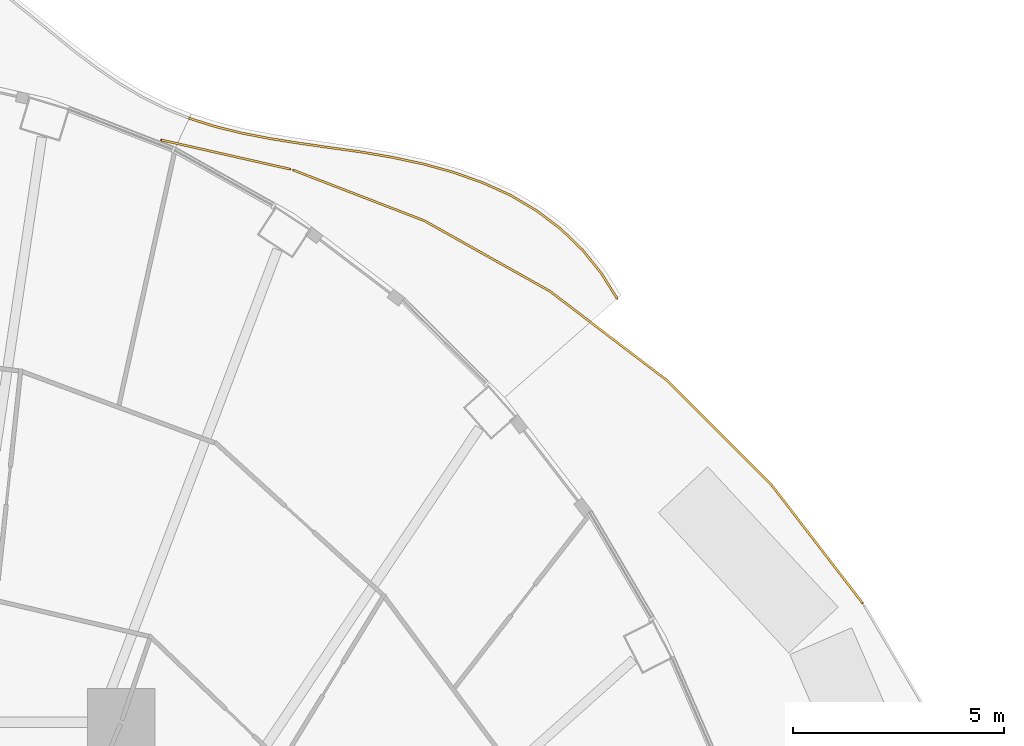
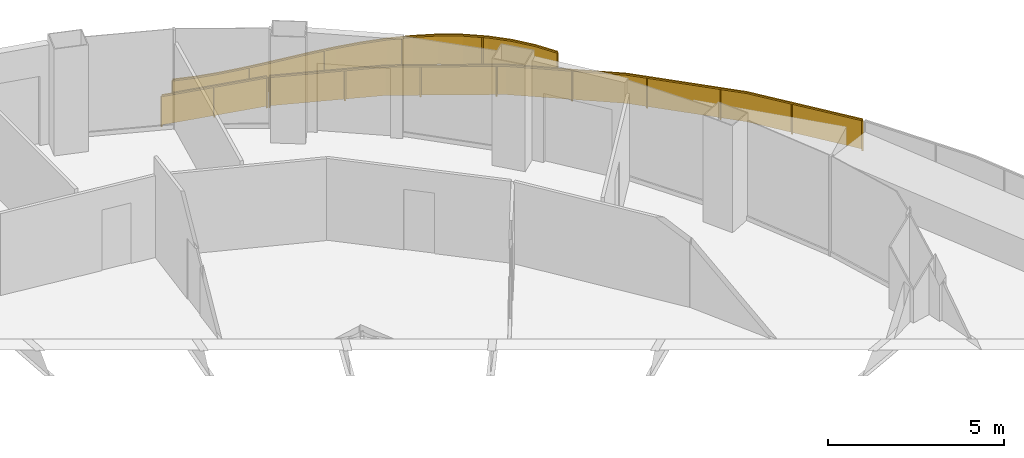
# One storey, part 18 of 18: 3 railings.
"""IFC4 building model written with IfcOpenShell, lengths in metres."""

from ifc_helpers import new_model, si_unit, direction, frame, origin, origin_2d, place, context, subcontext, project, spatial, polyline, rectangle, outline, extrude, material, type_object, element, save


model = new_model("IFC4")

# Units and contexts
model_context = context("Model", 3, precision=1e-05, world=origin(), true_north=direction((0.0, 1.0)))
body_context = subcontext(model_context, "Body", "Model", "MODEL_VIEW")
ifc_project = project(units=[si_unit("LENGTHUNIT", "METRE"), si_unit("AREAUNIT", "SQUARE_METRE"), si_unit("VOLUMEUNIT", "CUBIC_METRE"), si_unit("PLANEANGLEUNIT", "RADIAN"), si_unit("MASSUNIT", "GRAM", prefix="KILO")], contexts=[model_context])

# Site, building, storey
site_placement = place(None, origin())
site = spatial("IfcSite", under=ifc_project, at=site_placement, CompositionType="ELEMENT")
building_placement = place(site_placement, origin())
building = spatial("IfcBuilding", under=site, at=building_placement, Name="Nagisa Residences", CompositionType="ELEMENT")
storey_placement = place(building_placement, frame((0.0, 0.0, 212.199951171875)))
storey = spatial("IfcBuildingStorey", under=building, at=storey_placement, Name="L53", CompositionType="ELEMENT", Elevation=212.199951171875)

# Railings
ifc_material_1 = material(Name="Stainless steel 316", Category="steel")
railing_type_1 = type_object("IfcRailingType", Name="BALCONY GUARD 1100", PredefinedType="BALUSTRADE", material=ifc_material_1)
railing_1_placement = place(storey_placement, frame((17.88623046875, 24.828369140625, 0.0)))
element("IfcRailing", 1, at=railing_1_placement, inside=storey, type_object=railing_type_1, Name="guard:L53:bal02-0", PredefinedType="BALUSTRADE", context=body_context, shape_type="SweptSolid", body=[
    extrude(outline(polyline([(-0.39697265625, 0.58642578125), (-0.021240234375, -0.01318359375), (0.021240234375, 0.01318359375), (-0.35595703125, 0.61572265625), (-0.8046875, 1.171630859375), (-1.3173828125, 1.66845703125), (-1.889404296875, 2.102783203125), (-2.514404296875, 2.47314453125), (-3.17138671875, 2.770751953125), (-3.874755859375, 3.021240234375), (-4.601806640625, 3.22119140625), (-5.341552734375, 3.379150390625), (-6.083251953125, 3.50634765625), (-6.803955078125, 3.60595703125), (-7.522705078125, 3.709228515625), (-8.219970703125, 3.819580078125), (-8.891357421875, 3.94873046875), (-9.53515625, 4.10791015625), (-10.145263671875, 4.3017578125), (-10.160400390625, 4.25390625), (-9.548828125, 4.0595703125), (-8.902099609375, 3.89990234375), (-8.228759765625, 3.770263671875), (-7.530029296875, 3.659912109375), (-6.810791015625, 3.556640625), (-6.091064453125, 3.45703125), (-5.350830078125, 3.329833984375), (-4.613525390625, 3.17236328125), (-3.889892578125, 2.973388671875), (-3.18994140625, 2.724365234375), (-2.537353515625, 2.4287109375), (-1.917236328125, 2.061279296875), (-1.35009765625, 1.63037109375), (-0.841796875, 1.137939453125), (-0.39697265625, 0.58642578125)])), frame((0.0, 0.0, 1.050048828125)), (0.0, 0.0, 1.0), 0.050048828125),
    extrude(outline(polyline([(-0.382080078125, 0.596923828125), (-0.005859375, -0.003662109375), (0.005859375, 0.003662109375), (-0.370849609375, 0.605224609375), (-0.818115234375, 1.159423828125), (-1.3291015625, 1.65478515625), (-1.8994140625, 2.087890625), (-2.522705078125, 2.45703125), (-3.177978515625, 2.754150390625), (-3.880126953125, 3.00390625), (-4.60595703125, 3.20361328125), (-5.344970703125, 3.361328125), (-6.086181640625, 3.488525390625), (-6.806396484375, 3.588134765625), (-7.525390625, 3.69140625), (-8.22314453125, 3.8017578125), (-8.895263671875, 3.93115234375), (-9.5400390625, 4.090576171875), (-10.150634765625, 4.284423828125), (-10.155029296875, 4.271240234375), (-9.5439453125, 4.076904296875), (-8.898193359375, 3.91748046875), (-8.2255859375, 3.7880859375), (-7.52734375, 3.677734375), (-6.808349609375, 3.574462890625), (-6.088134765625, 3.474853515625), (-5.347412109375, 3.34765625), (-4.609375, 3.18994140625), (-3.884521484375, 2.99072265625), (-3.183349609375, 2.740966796875), (-2.529052734375, 2.44482421875), (-1.9072265625, 2.076171875), (-1.33837890625, 1.64404296875), (-0.828369140625, 1.150146484375), (-0.382080078125, 0.596923828125)])), frame((0.0, 0.0, 0.06005859375)), (0.0, 0.0, 1.0), 0.989990234375),
    extrude(rectangle(XDim=0.0400390625, YDim=0.0400390625, at=origin_2d()), origin(), (0.0, 0.0, 1.0), 1.050048828125),
    extrude(rectangle(XDim=0.0400390625, YDim=0.0400390625, at=origin_2d()), frame((-1.458984375, 1.744384765625, 0.0)), (0.0, 0.0, 1.0), 1.050048828125),
    extrude(rectangle(XDim=0.0400390625, YDim=0.0400390625, at=origin_2d()), frame((-3.4521484375, 2.84423828125, 0.0)), (0.0, 0.0, 1.0), 1.050048828125),
    extrude(rectangle(XDim=0.0400390625, YDim=0.0400390625, at=origin_2d()), frame((-5.666259765625, 3.409423828125, 0.0)), (0.0, 0.0, 1.0), 1.050048828125),
    extrude(rectangle(XDim=0.0400390625, YDim=0.0400390625, at=origin_2d()), frame((-7.9296875, 3.748291015625, 0.0)), (0.0, 0.0, 1.0), 1.050048828125),
    extrude(rectangle(XDim=0.0400390625, YDim=0.0400390625, at=origin_2d()), frame((-10.15283203125, 4.27783203125, 0.0)), (0.0, 0.0, 1.0), 1.050048828125),
])
ifc_material_2 = material(Name="Stainless steel 316", Category="steel")
railing_type_2 = type_object("IfcRailingType", Name="ROOF GUARD 1100", PredefinedType="GUARDRAIL", material=ifc_material_2)
railing_2_placement = place(storey_placement, frame((23.70703125, 17.609619140625, 0.0)))
element("IfcRailing", 2, at=railing_2_placement, inside=storey, type_object=railing_type_2, Name="guard:L53:garden01", PredefinedType="GUARDRAIL", context=body_context, shape_type="SweptSolid", body=[
    extrude(outline(polyline([(-2.18310546875, 2.79150390625), (-0.019775390625, -0.015380859375), (0.019775390625, 0.015380859375), (-2.1455078125, 2.82470703125), (-4.64306640625, 5.317138671875), (-7.40576171875, 7.41796875), (-10.3857421875, 9.090087890625), (-13.4931640625, 10.29052734375), (-13.51123046875, 10.24365234375), (-10.4072265625, 9.044677734375), (-7.43310546875, 7.3759765625), (-4.67626953125, 5.279541015625), (-2.18310546875, 2.79150390625)])), frame((0.0, 0.0, 1.050048828125)), (0.0, 0.0, 1.0), 0.050048828125),
    extrude(outline(polyline([(-2.169677734375, 2.803466796875), (-0.005615234375, -0.00439453125), (0.005615234375, 0.00439453125), (-2.158935546875, 2.812744140625), (-4.655029296875, 5.3037109375), (-7.41552734375, 7.40283203125), (-10.3935546875, 9.07373046875), (-13.499755859375, 10.273681640625), (-13.504638671875, 10.260498046875), (-10.3994140625, 9.06103515625), (-7.42333984375, 7.39111328125), (-4.664306640625, 5.29296875), (-2.169677734375, 2.803466796875)])), frame((0.0, 0.0, 0.06005859375)), (0.0, 0.0, 1.0), 0.989990234375),
    extrude(rectangle(XDim=0.0400390625, YDim=0.0400390625, at=origin_2d()), origin(), (0.0, 0.0, 1.0), 1.050048828125),
    extrude(rectangle(XDim=0.0400390625, YDim=0.0400390625, at=origin_2d()), frame((-1.318603515625, 1.7109375, 0.0)), (0.0, 0.0, 1.0), 1.050048828125),
    extrude(rectangle(XDim=0.0400390625, YDim=0.0400390625, at=origin_2d()), frame((-2.712646484375, 3.35546875, 0.0)), (0.0, 0.0, 1.0), 1.050048828125),
    extrude(rectangle(XDim=0.0400390625, YDim=0.0400390625, at=origin_2d()), frame((-4.24169921875, 4.88134765625, 0.0)), (0.0, 0.0, 1.0), 1.050048828125),
    extrude(rectangle(XDim=0.0400390625, YDim=0.0400390625, at=origin_2d()), frame((-5.9091796875, 6.24853515625, 0.0)), (0.0, 0.0, 1.0), 1.050048828125),
    extrude(rectangle(XDim=0.0400390625, YDim=0.0400390625, at=origin_2d()), frame((-7.6484375, 7.525634765625, 0.0)), (0.0, 0.0, 1.0), 1.050048828125),
    extrude(rectangle(XDim=0.0400390625, YDim=0.0400390625, at=origin_2d()), frame((-9.532470703125, 8.58251953125, 0.0)), (0.0, 0.0, 1.0), 1.050048828125),
    extrude(rectangle(XDim=0.0400390625, YDim=0.0400390625, at=origin_2d()), frame((-11.4873046875, 9.48876953125, 0.0)), (0.0, 0.0, 1.0), 1.050048828125),
    extrude(rectangle(XDim=0.0400390625, YDim=0.0400390625, at=origin_2d()), frame((-13.502197265625, 10.26708984375, 0.0)), (0.0, 0.0, 1.0), 1.050048828125),
])
railing_3_placement = place(storey_placement, frame((10.12841796875, 27.89990234375, 0.0)))
element("IfcRailing", 3, at=railing_3_placement, inside=storey, type_object=railing_type_2, Name="guard:L53:garden02", PredefinedType="GUARDRAIL", context=body_context, shape_type="SweptSolid", body=[
    extrude(outline(polyline([(-3.0595703125, 0.6669921875), (-0.005615234375, -0.0244140625), (0.005615234375, 0.0244140625), (-3.04833984375, 0.7158203125), (-3.0595703125, 0.6669921875)])), frame((0.0, 0.0, 1.050048828125)), (0.0, 0.0, 1.0), 0.050048828125),
    extrude(outline(polyline([(-3.055419921875, 0.6845703125), (-0.00146484375, -0.0068359375), (0.00146484375, 0.0068359375), (-3.052490234375, 0.6982421875), (-3.055419921875, 0.6845703125)])), frame((0.0, 0.0, 0.06005859375)), (0.0, 0.0, 1.0), 0.989990234375),
    extrude(rectangle(XDim=0.0400390625, YDim=0.0400390625, at=origin_2d()), origin(), (0.0, 0.0, 1.0), 1.050048828125),
    extrude(rectangle(XDim=0.0400390625, YDim=0.0400390625, at=origin_2d()), frame((-1.52685546875, 0.345703125, 0.0)), (0.0, 0.0, 1.0), 1.050048828125),
    extrude(rectangle(XDim=0.0400390625, YDim=0.0400390625, at=origin_2d()), frame((-3.053955078125, 0.69140625, 0.0)), (0.0, 0.0, 1.0), 1.050048828125),
])

save(model, "model.ifc")
